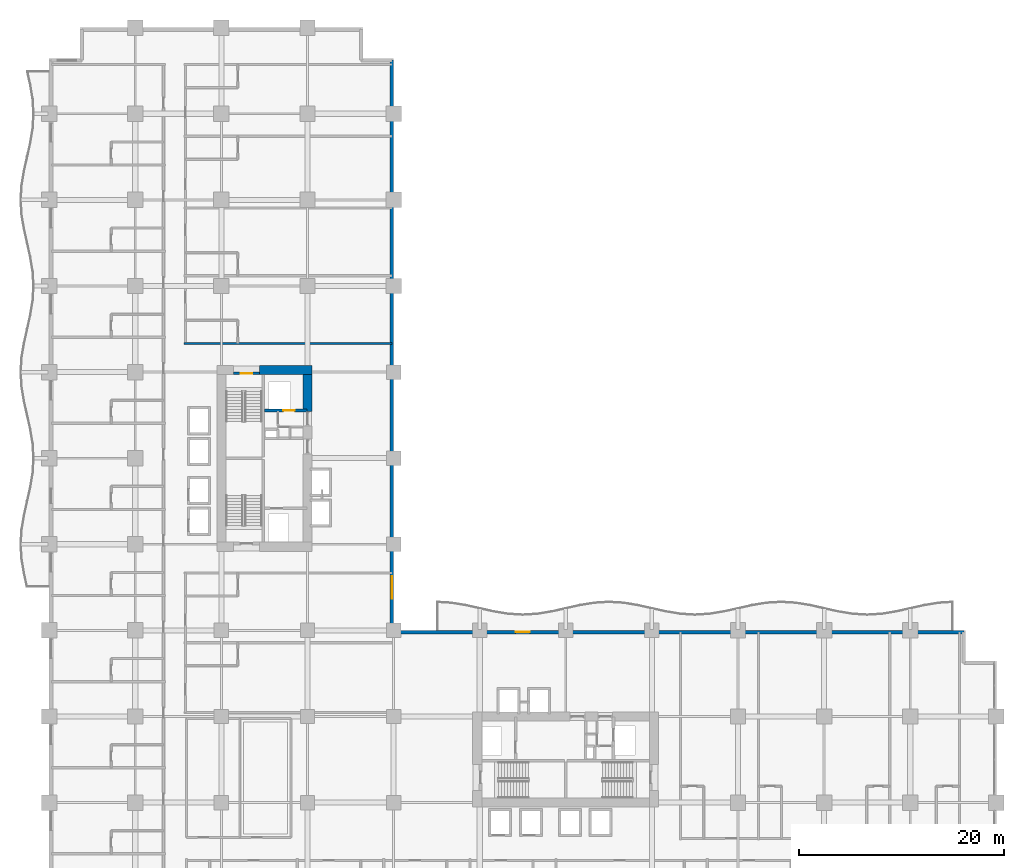
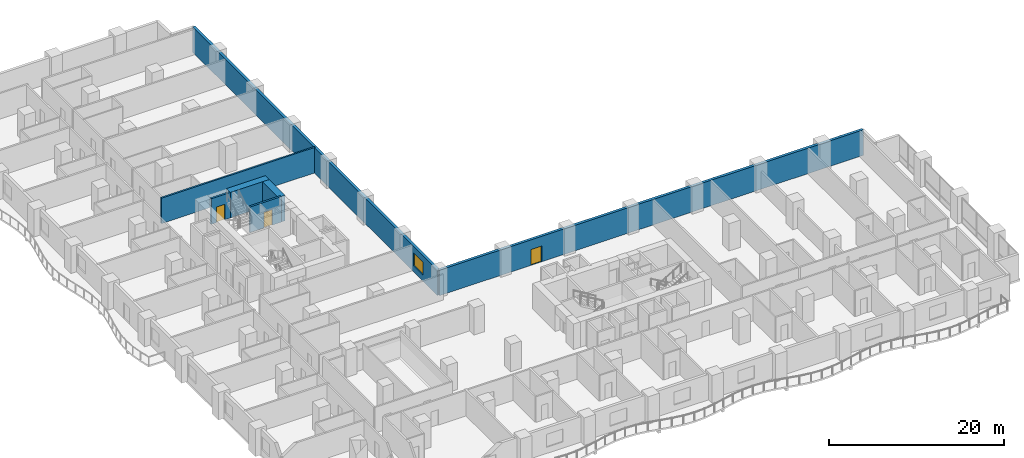
# One storey, part 18 of 26: 7 walls, 3 doors, 1 window, 4 openings.
"""IFC4 building model written with IfcOpenShell, lengths in metres."""

from ifc_helpers import new_model, si_unit, direction, frame, frame_2d, origin, place, context, subcontext, project, spatial, rectangle, extrude, material, layer, layer_set, type_object, element, fill, save


model = new_model("IFC4")

# Units and contexts
model_context = context("Model", 3, precision=1e-05, world=origin(), true_north=direction((0.0, 1.0)))
body_context = subcontext(model_context, "Body", "Model", "MODEL_VIEW")
ifc_project = project(units=[si_unit("LENGTHUNIT", "METRE"), si_unit("AREAUNIT", "SQUARE_METRE"), si_unit("VOLUMEUNIT", "CUBIC_METRE"), si_unit("PLANEANGLEUNIT", "RADIAN"), si_unit("MASSUNIT", "GRAM", prefix="KILO")], contexts=[model_context])

# Site, building, storey
site_placement = place(None, origin())
site = spatial("IfcSite", under=ifc_project, at=site_placement, CompositionType="ELEMENT")
building_placement = place(site_placement, origin())
building = spatial("IfcBuilding", under=site, at=building_placement, Name="Koriwani Terraces Tower", CompositionType="ELEMENT")
storey_placement = place(building_placement, frame((0.0, 0.0, 39.60009765625)))
storey = spatial("IfcBuildingStorey", under=building, at=storey_placement, Name="L08", CompositionType="ELEMENT", Elevation=39.60009765625)

# Walls
ifc_material_1 = material(Name="Concrete C60/75", Category="concrete")
ifc_layer_1 = layer(ifc_material_1, 0.89990234375, Name="Concrete C60/75")
ifc_layer_set_1 = layer_set([ifc_layer_1], Name="Concrete C60/75")
wall_type_1 = type_object("IfcWallType", Name="WALL_CORE_RC_900", PredefinedType="SHEAR", material=ifc_layer_set_1)
wall_1_placement = place(storey_placement, frame((20.5, 59.0, 0.0), z_axis=(0.0, 0.0, 1.0), x_axis=(1.0, 0.0, 0.0)))
element("IfcWall", 1, at=wall_1_placement, inside=storey, type_object=wall_type_1, Name="L08 West Split Core Shear Wall N2", PredefinedType="SHEAR", context=body_context, shape_type="SweptSolid", body=[
    extrude(rectangle(XDim=5.14990234375, YDim=0.89990234375, at=frame_2d((2.574951171875, 0.0))), origin(), (0.0, 0.0, 1.0), 3.5498046875),
])
wall_2_placement = place(storey_placement, frame((25.199951171875, 54.949951171875, 0.0), z_axis=(0.0, 0.0, 1.0), x_axis=(0.0, 1.0, 0.0)))
element("IfcWall", 2, at=wall_2_placement, inside=storey, type_object=wall_type_1, Name="L08 West Split Core Shear Wall E3", PredefinedType="SHEAR", context=body_context, shape_type="SweptSolid", body=[
    extrude(rectangle(XDim=3.60009765625, YDim=0.89990234375, at=frame_2d((1.800048828125, 0.0))), origin(), (0.0, 0.0, 1.0), 3.5498046875),
])
ifc_material_2 = material(Name="Autoclaved Cellular Concrete Blockwork", Category="masonry")
ifc_layer_2 = layer(ifc_material_2, 0.219970703125, Name="Autoclaved Cellular Concrete Blockwork")
ifc_layer_set_2 = layer_set([ifc_layer_2], Name="Autoclaved Cellular Concrete Blockwork")
wall_type_2 = type_object("IfcWallType", Name="WALL_DEMISING_220", PredefinedType="PARTITIONING", material=ifc_layer_set_2)
wall_3_placement = place(storey_placement, frame((13.14990234375, 61.60009765625, 0.0), z_axis=(0.0, 0.0, 1.0), x_axis=(1.0, 0.0, 0.0)))
element("IfcWall", 3, at=wall_3_placement, inside=storey, type_object=wall_type_2, Name="L08 Interior Wall WDEM-L08-NE-0", PredefinedType="PARTITIONING", context=body_context, shape_type="SweptSolid", body=[
    extrude(rectangle(XDim=20.280029296875, YDim=0.219970703125, at=frame_2d((10.14013671875, 0.0))), origin(), (0.0, 0.0, 1.0), 3.5498046875),
])

# Wall, opening, window
ifc_material_3 = material(Name="Concrete C50/60", Category="concrete")
ifc_layer_3 = layer(ifc_material_3, 0.35009765625, Name="Concrete C50/60")
ifc_layer_set_3 = layer_set([ifc_layer_3], Name="Concrete C50/60")
wall_type_3 = type_object("IfcWallType", Name="WALL_EXT_BRUTALIST_350", PredefinedType="STANDARD", material=ifc_layer_set_3)
wall_4_placement = place(storey_placement, frame((33.425048828125, 89.22509765625, 0.0), z_axis=(0.0, 0.0, 1.0), x_axis=(0.0, -1.0, 0.0)))
wall_4 = element("IfcWall", 4, at=wall_4_placement, inside=storey, type_object=wall_type_3, Name="L08 Fair-Faced Brutalist Exterior Wall (NW_IN)", PredefinedType="STANDARD", context=body_context, shape_type="SweptSolid", body=[
    extrude(rectangle(XDim=55.800048828125, YDim=0.35009765625, at=frame_2d((27.89990234375, 0.0))), origin(), (0.0, 0.0, 1.0), 3.5498046875),
])
opening_1_placement = place(wall_4_placement, frame((50.324951171875, 0.0, 0.85009765625)))
opening_1 = element("IfcOpeningElement", 5, at=opening_1_placement, cuts=wall_4, Name="Opening W-01", PredefinedType="OPENING", context=body_context, shape_type="SweptSolid", body=[
    extrude(rectangle(XDim=2.199951171875, YDim=1.800048828125, at=frame_2d((1.10009765625, 0.89990234375))), frame((0.0, 0.18505859375, 0.0), z_axis=(0.0, -1.0, 0.0), x_axis=(1.0, 0.0, 0.0)), (0.0, 0.0, 1.0), 0.3701171875),
])
ifc_material_4 = material(Name="Tempered Laminated Low-E Glass", Category="glass")
window_type = type_object("IfcWindowType", Name="WIN_HOTEL_STD_2200X1800", PartitioningType="DOUBLE_PANEL_VERTICAL", PredefinedType="WINDOW", material=ifc_material_4)
window_placement = place(opening_1_placement, origin())
window = element("IfcWindow", 6, at=window_placement, inside=storey, type_object=window_type, Name="L08 Exterior Window (NW_IN-2)", OverallHeight=1.800048828125, OverallWidth=2.199951171875, PartitioningType="SINGLE_PANEL", PredefinedType="WINDOW", context=body_context, shape_type="SweptSolid", body=[
    extrude(rectangle(XDim=2.199951171875, YDim=1.800048828125, at=frame_2d((1.10009765625, 0.89990234375))), frame((0.0, 0.030029296875, 0.0), z_axis=(0.0, -1.0, 0.0), x_axis=(1.0, 0.0, 0.0)), (0.0, 0.0, 1.0), 0.06005859375),
])
fill(opening_1, window)

# Wall, opening, door
wall_5_placement = place(storey_placement, frame((33.425048828125, 33.425048828125, 0.0), z_axis=(0.0, 0.0, 1.0), x_axis=(1.0, 0.0, 0.0)))
wall_5 = element("IfcWall", 7, at=wall_5_placement, inside=storey, type_object=wall_type_3, Name="L08 Fair-Faced Brutalist Exterior Wall (NE)", PredefinedType="STANDARD", context=body_context, shape_type="SweptSolid", body=[
    extrude(rectangle(XDim=55.800048828125, YDim=0.35009765625, at=frame_2d((27.89990234375, 0.0))), origin(), (0.0, 0.0, 1.0), 3.5498046875),
])
opening_2_placement = place(wall_5_placement, frame((12.074951171875, 0.0, 0.0)))
opening_2 = element("IfcOpeningElement", 8, at=opening_2_placement, cuts=wall_5, Name="Opening D-09", PredefinedType="OPENING", context=body_context, shape_type="SweptSolid", body=[
    extrude(rectangle(XDim=1.39990234375, YDim=2.199951171875, at=frame_2d((0.699951171875, 1.10009765625))), frame((0.0, 0.18505859375, 0.0), z_axis=(0.0, -1.0, 0.0), x_axis=(1.0, 0.0, 0.0)), (0.0, 0.0, 1.0), 0.3701171875),
])
ifc_material_5 = material(Name="Anodised Bronze Aluminium", Category="aluminium")
door_type_1 = type_object("IfcDoorType", Name="DOOR_BALCONY_GLAZED_1400X2200", OperationType="NOTDEFINED", PredefinedType="DOOR", material=ifc_material_5)
door_1_placement = place(opening_2_placement, origin())
door_1 = element("IfcDoor", 9, at=door_1_placement, inside=storey, type_object=door_type_1, Name="L08 Inner Court Balcony Glazed Door", OperationType="SINGLE_SWING_LEFT", OverallHeight=2.199951171875, OverallWidth=1.39990234375, PredefinedType="DOOR", context=body_context, shape_type="SweptSolid", body=[
    extrude(rectangle(XDim=1.39990234375, YDim=2.199951171875, at=frame_2d((0.699951171875, 1.10009765625))), frame((0.0, 0.02490234375, 0.0), z_axis=(0.0, -1.0, 0.0), x_axis=(1.0, 0.0, 0.0)), (0.0, 0.0, 1.0), 0.050048828125),
])
fill(opening_2, door_1)

ifc_material_6 = material(Name="Concrete C40/50", Category="concrete")
ifc_layer_4 = layer(ifc_material_6, 0.25, Name="Concrete C40/50")
ifc_layer_set_4 = layer_set([ifc_layer_4], Name="Concrete C40/50")
wall_type_4 = type_object("IfcWallType", Name="WALL_SHAFT_RATED_250", PredefinedType="SOLIDWALL", material=ifc_layer_set_4)
wall_6_placement = place(storey_placement, frame((18.0, 58.675048828125, 0.0), z_axis=(0.0, 0.0, 1.0), x_axis=(1.0, 0.0, 0.0)))
wall_6 = element("IfcWall", 10, at=wall_6_placement, inside=storey, type_object=wall_type_4, Name="L08 Interior Wall WIN-CW-L08-STN", PredefinedType="SOLIDWALL", context=body_context, shape_type="SweptSolid", body=[
    extrude(rectangle(XDim=2.5, YDim=0.25, at=frame_2d((1.25, 0.0))), origin(), (0.0, 0.0, 1.0), 3.5498046875),
])
opening_3_placement = place(wall_6_placement, frame((0.699951171875, 0.0, 0.0)))
opening_3 = element("IfcOpeningElement", 11, at=opening_3_placement, cuts=wall_6, Name="Opening D-03", PredefinedType="OPENING", context=body_context, shape_type="SweptSolid", body=[
    extrude(rectangle(XDim=1.10009765625, YDim=2.14990234375, at=frame_2d((0.550048828125, 1.074951171875))), frame((0.0, 0.135009765625, 0.0), z_axis=(0.0, -1.0, 0.0), x_axis=(1.0, 0.0, 0.0)), (0.0, 0.0, 1.0), 0.27001953125),
])
ifc_material_7 = material(Name="Steel ASTM A572 Grade 50", Category="steel")
door_type_2 = type_object("IfcDoorType", Name="DOOR_STAIR_FIRE_1100X2150", OperationType="NOTDEFINED", PredefinedType="DOOR", material=ifc_material_7)
door_2_placement = place(opening_3_placement, origin())
door_2 = element("IfcDoor", 12, at=door_2_placement, inside=storey, type_object=door_type_2, Name="L08 Exit Stair ST-W2 Door", OperationType="SINGLE_SWING_LEFT", OverallHeight=2.14990234375, OverallWidth=1.10009765625, PredefinedType="DOOR", context=body_context, shape_type="SweptSolid", body=[
    extrude(rectangle(XDim=1.10009765625, YDim=2.14990234375, at=frame_2d((0.550048828125, 1.074951171875))), frame((0.0, 0.02490234375, 0.0), z_axis=(0.0, -1.0, 0.0), x_axis=(1.0, 0.0, 0.0)), (0.0, 0.0, 1.0), 0.050048828125),
])
fill(opening_3, door_2)

wall_7_placement = place(storey_placement, frame((21.0, 55.050048828125, 0.0), z_axis=(0.0, 0.0, 1.0), x_axis=(1.0, 0.0, 0.0)))
wall_7 = element("IfcWall", 13, at=wall_7_placement, inside=storey, type_object=wall_type_4, Name="L08 Interior Wall WIN-CW-L08-SE", PredefinedType="SOLIDWALL", context=body_context, shape_type="SweptSolid", body=[
    extrude(rectangle(XDim=4.14990234375, YDim=0.25, at=frame_2d((2.074951171875, 0.0))), origin(), (0.0, 0.0, 1.0), 3.5498046875),
])
opening_4_placement = place(wall_7_placement, frame((1.85009765625, 0.0, 0.0)))
opening_4 = element("IfcOpeningElement", 14, at=opening_4_placement, cuts=wall_7, Name="Opening LD-01", PredefinedType="OPENING", context=body_context, shape_type="SweptSolid", body=[
    extrude(rectangle(XDim=1.10009765625, YDim=2.14990234375, at=frame_2d((0.550048828125, 1.074951171875))), frame((0.0, 0.135009765625, 0.0), z_axis=(0.0, -1.0, 0.0), x_axis=(1.0, 0.0, 0.0)), (0.0, 0.0, 1.0), 0.27001953125),
])
door_type_3 = type_object("IfcDoorType", Name="DOOR_LIFT_LANDING_1100X2200", OperationType="NOTDEFINED", PredefinedType="DOOR", material=ifc_material_7)
door_3_placement = place(opening_4_placement, origin())
door_3 = element("IfcDoor", 15, at=door_3_placement, inside=storey, type_object=door_type_3, Name="L08 Goods Lift SE-01 Landing Door", OperationType="SLIDING_TO_LEFT", OverallHeight=2.14990234375, OverallWidth=1.10009765625, PredefinedType="DOOR", context=body_context, shape_type="SweptSolid", body=[
    extrude(rectangle(XDim=1.10009765625, YDim=2.14990234375, at=frame_2d((0.550048828125, 1.074951171875))), frame((0.0, 0.02490234375, 0.0), z_axis=(0.0, -1.0, 0.0), x_axis=(1.0, 0.0, 0.0)), (0.0, 0.0, 1.0), 0.050048828125),
])
fill(opening_4, door_3)

save(model, "model.ifc")
